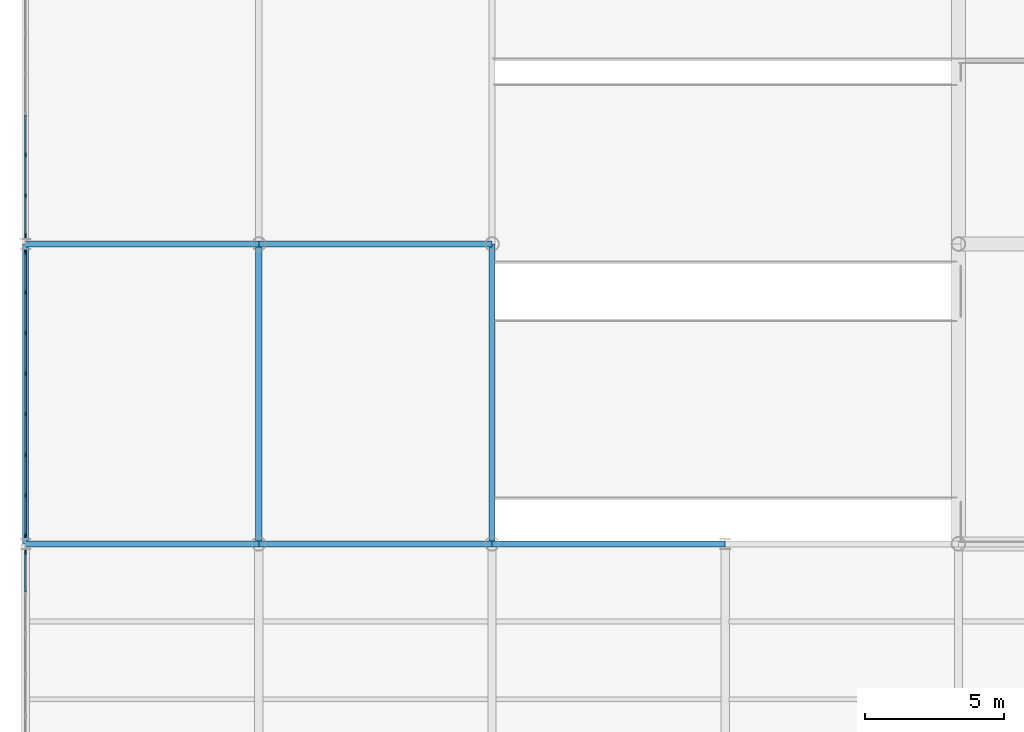
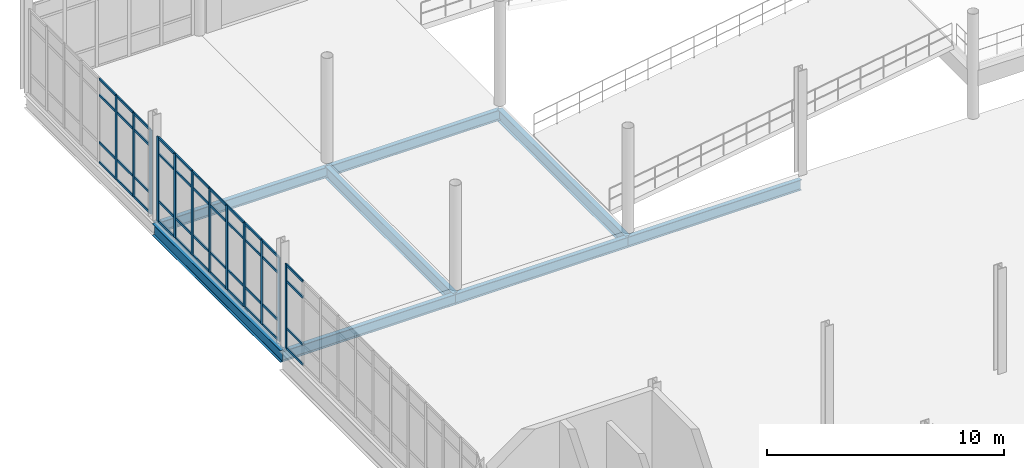
# One storey, part 49 of 111: 56 members, 8 beams, 3 elements without a shape of their own.
"""IFC4 building model written with IfcOpenShell, lengths in metres."""

from ifc_helpers import new_model, si_unit, direction, frame, origin, origin_2d, place, context, subcontext, project, spatial, rectangle, i_section, extrude, material, layer, layer_set, material_profile, profile_set, type_object, element, aggregate, save


model = new_model("IFC4")

# Units and contexts
model_context = context("Model", 3, precision=1e-05, world=origin(), true_north=direction((0.0, 1.0)))
body_context = subcontext(model_context, "Body", "Model", "MODEL_VIEW")
ifc_project = project(units=[si_unit("LENGTHUNIT", "METRE"), si_unit("AREAUNIT", "SQUARE_METRE"), si_unit("VOLUMEUNIT", "CUBIC_METRE"), si_unit("PLANEANGLEUNIT", "RADIAN"), si_unit("MASSUNIT", "GRAM", prefix="KILO"), si_unit("THERMODYNAMICTEMPERATUREUNIT", "KELVIN"), si_unit("POWERUNIT", "WATT")], contexts=[model_context])

# Site, building, storey
site_placement = place(None, origin())
site = spatial("IfcSite", under=ifc_project, at=site_placement, CompositionType="ELEMENT")
building_placement = place(site_placement, origin())
building = spatial("IfcBuilding", under=site, at=building_placement, Name="Tembeka Court Mobility Hub", CompositionType="ELEMENT")
storey_placement = place(building_placement, origin())
storey = spatial("IfcBuildingStorey", under=building, at=storey_placement, Name="L00", CompositionType="ELEMENT", Elevation=0.0)

# Beams
ifc_material_1 = material(Name="Steel S355", Category="steel")
ifc_material_profile_1 = material_profile(ifc_material_1, i_section(OverallWidth=0.22900390625, OverallDepth=0.612060546875, WebThickness=0.011962890625, FlangeThickness=0.01953125, FilletRadius=0.0126953125, at=origin_2d()), Name="UKB 610x229x125")
ifc_profile_set_1 = profile_set([ifc_material_profile_1], Name="Steel S355")
beam_type_1 = type_object("IfcBeamType", Name="BM-G02", PredefinedType="USERDEFINED", material=ifc_profile_set_1)
for number, where, z_axis, x_axis, name in (
    (1, (0.0, 97.199951171875, -0.5859375), (0.0, 1.0, 0.0), (-1.0, 0.0, 0.0), "Beam G02 (BM-L00-Y0173)"),
    (2, (8.39990234375, 97.199951171875, -0.5859375), (0.0, 1.0, 0.0), (-1.0, 0.0, 0.0), "Beam G02 (BM-L00-Y0184)"),
    (3, (16.800048828125, 97.199951171875, -0.5859375), (0.0, 1.0, 0.0), (-1.0, 0.0, 0.0), "Beam G02 (BM-L00-Y0195)"),
):
    element("IfcBeam", number, at=place(storey_placement, frame(where, z_axis=z_axis, x_axis=x_axis)), inside=storey, type_object=beam_type_1, Name=name, ObjectType="GIRDER", PredefinedType="USERDEFINED", context=body_context, shape_type="SweptSolid", body=[
        extrude(i_section(OverallWidth=0.22900390625, OverallDepth=0.612060546875, WebThickness=0.011962890625, FlangeThickness=0.01953125, FilletRadius=0.0126953125, at=origin_2d()), origin(), (0.0, 0.0, 1.0), 10.800048828125),
    ])
ifc_material_profile_2 = material_profile(ifc_material_1, i_section(OverallWidth=0.2099609375, OverallDepth=0.537109375, WebThickness=0.0107421875, FlangeThickness=0.017333984375, FilletRadius=0.0126953125, at=origin_2d()), Name="UKB 533x210x101")
ifc_profile_set_2 = profile_set([ifc_material_profile_2], Name="Steel S355")
beam_type_2 = type_object("IfcBeamType", Name="BM-G03", PredefinedType="USERDEFINED", material=ifc_profile_set_2)
beam_1_placement = place(storey_placement, frame((0.0, 97.199951171875, -0.548583984375), z_axis=(1.0, 0.0, 0.0), x_axis=(0.0, 1.0, 0.0)))
element("IfcBeam", 4, at=beam_1_placement, inside=storey, type_object=beam_type_2, Name="Beam G03 (BM-L00-X0137)", ObjectType="GIRDER", PredefinedType="USERDEFINED", context=body_context, shape_type="SweptSolid", body=[
    extrude(i_section(OverallWidth=0.2099609375, OverallDepth=0.537109375, WebThickness=0.0107421875, FlangeThickness=0.017333984375, FilletRadius=0.0126953125, at=origin_2d()), origin(), (0.0, 0.0, 1.0), 8.39990234375),
])
beam_2_placement = place(storey_placement, frame((8.39990234375, 97.199951171875, -0.548583984375), z_axis=(1.0, 0.0, 0.0), x_axis=(0.0, 1.0, 0.0)))
element("IfcBeam", 5, at=beam_2_placement, inside=storey, type_object=beam_type_2, Name="Beam G03 (BM-L00-X0138)", ObjectType="GIRDER", PredefinedType="USERDEFINED", context=body_context, shape_type="SweptSolid", body=[
    extrude(i_section(OverallWidth=0.2099609375, OverallDepth=0.537109375, WebThickness=0.0107421875, FlangeThickness=0.017333984375, FilletRadius=0.0126953125, at=origin_2d()), origin(), (0.0, 0.0, 1.0), 8.400146484375),
])
for number, where, z_axis, x_axis, name in (
    (6, (16.800048828125, 97.199951171875, -0.548583984375), (1.0, 0.0, 0.0), (0.0, 1.0, 0.0), "Beam G03 (BM-L00-X0139)"),
    (7, (0.0, 108.0, -0.548583984375), (1.0, 0.0, 0.0), (0.0, 1.0, 0.0), "Beam G03 (BM-L00-X0150)"),
):
    element("IfcBeam", number, at=place(storey_placement, frame(where, z_axis=z_axis, x_axis=x_axis)), inside=storey, type_object=beam_type_2, Name=name, ObjectType="GIRDER", PredefinedType="USERDEFINED", context=body_context, shape_type="SweptSolid", body=[
        extrude(i_section(OverallWidth=0.2099609375, OverallDepth=0.537109375, WebThickness=0.0107421875, FlangeThickness=0.017333984375, FilletRadius=0.0126953125, at=origin_2d()), origin(), (0.0, 0.0, 1.0), 8.39990234375),
    ])
beam_3_placement = place(storey_placement, frame((8.39990234375, 108.0, -0.548583984375), z_axis=(1.0, 0.0, 0.0), x_axis=(0.0, 1.0, 0.0)))
element("IfcBeam", 8, at=beam_3_placement, inside=storey, type_object=beam_type_2, Name="Beam G03 (BM-L00-X0151)", ObjectType="GIRDER", PredefinedType="USERDEFINED", context=body_context, shape_type="SweptSolid", body=[
    extrude(i_section(OverallWidth=0.2099609375, OverallDepth=0.537109375, WebThickness=0.0107421875, FlangeThickness=0.017333984375, FilletRadius=0.0126953125, at=origin_2d()), origin(), (0.0, 0.0, 1.0), 8.400146484375),
])

# Curtain wall, member
ifc_material_2 = material(Name="Anodised aluminium 6063-T6", Category="aluminium")
ifc_layer_1 = layer(ifc_material_2, 0.159912109375)
ifc_layer_set_1 = layer_set([ifc_layer_1], Name="Anodised aluminium 6063-T6")
curtain_wall_type_1 = type_object("IfcCurtainWallType", Name="CW-SYS19", PredefinedType="USERDEFINED", material=ifc_layer_set_1)
curtain_wall_1_placement = place(storey_placement, origin())
curtain_wall_1 = element("IfcCurtainWall", 9, at=curtain_wall_1_placement, inside=storey, type_object=curtain_wall_type_1, Name="Unitised curtain wall CW19 (CW-L00-029)", ObjectType="UNITISED GLAZING", PredefinedType="USERDEFINED")
ifc_material_profile_3 = material_profile(ifc_material_2, rectangle(XDim=0.06494140625, YDim=0.159912109375, at=origin_2d()), Name="ALU-MUL 65x160")
ifc_profile_set_3 = profile_set([ifc_material_profile_3], Name="Anodised aluminium 6063-T6")
member_type_1 = type_object("IfcMemberType", Name="CW-MUL01", PredefinedType="MULLION", material=ifc_profile_set_3)
member_1_placement = place(storey_placement, frame((0.0, 96.887451171875, 0.0), z_axis=(0.0, 0.0, 1.0), x_axis=(-1.0, 0.0, 0.0)))
member_1 = element("IfcMember", 10, at=member_1_placement, type_object=member_type_1, Name="CW19 mullion 12", PredefinedType="MULLION", context=body_context, shape_type="SweptSolid", body=[
    extrude(rectangle(XDim=0.06494140625, YDim=0.159912109375, at=origin_2d()), origin(), (0.0, 0.0, 1.0), 4.3349609375),
])

# Curtain wall, members
ifc_layer_2 = layer(ifc_material_2, 0.159912109375)
ifc_layer_set_2 = layer_set([ifc_layer_2], Name="Anodised aluminium 6063-T6")
curtain_wall_type_2 = type_object("IfcCurtainWallType", Name="CW-SYS18", PredefinedType="USERDEFINED", material=ifc_layer_set_2)
curtain_wall_2_placement = place(storey_placement, origin())
curtain_wall_2 = element("IfcCurtainWall", 11, at=curtain_wall_2_placement, inside=storey, type_object=curtain_wall_type_2, Name="Unitised curtain wall CW18 (CW-L00-031)", ObjectType="UNITISED GLAZING", PredefinedType="USERDEFINED")
member_2_placement = place(storey_placement, frame((0.0, 97.512451171875, 0.0), z_axis=(0.0, 0.0, 1.0), x_axis=(-1.0, 0.0, 0.0)))
member_2 = element("IfcMember", 12, at=member_2_placement, type_object=member_type_1, Name="CW18 mullion 1", PredefinedType="MULLION", context=body_context, shape_type="SweptSolid", body=[
    extrude(rectangle(XDim=0.06494140625, YDim=0.159912109375, at=origin_2d()), origin(), (0.0, 0.0, 1.0), 4.3349609375),
])
member_3_placement = place(storey_placement, frame((0.0, 98.94287109375, 0.0), z_axis=(0.0, 0.0, 1.0), x_axis=(-1.0, 0.0, 0.0)))
member_3 = element("IfcMember", 13, at=member_3_placement, type_object=member_type_1, Name="CW18 mullion 2", PredefinedType="MULLION", context=body_context, shape_type="SweptSolid", body=[
    extrude(rectangle(XDim=0.06494140625, YDim=0.159912109375, at=origin_2d()), origin(), (0.0, 0.0, 1.0), 4.3349609375),
])
member_4_placement = place(storey_placement, frame((0.0, 100.40576171875, 0.0), z_axis=(0.0, 0.0, 1.0), x_axis=(-1.0, 0.0, 0.0)))
member_4 = element("IfcMember", 14, at=member_4_placement, type_object=member_type_1, Name="CW18 mullion 3", PredefinedType="MULLION", context=body_context, shape_type="SweptSolid", body=[
    extrude(rectangle(XDim=0.06494140625, YDim=0.159912109375, at=origin_2d()), origin(), (0.0, 0.0, 1.0), 4.3349609375),
])
member_5_placement = place(storey_placement, frame((0.0, 101.86865234375, 0.0), z_axis=(0.0, 0.0, 1.0), x_axis=(-1.0, 0.0, 0.0)))
member_5 = element("IfcMember", 15, at=member_5_placement, type_object=member_type_1, Name="CW18 mullion 4", PredefinedType="MULLION", context=body_context, shape_type="SweptSolid", body=[
    extrude(rectangle(XDim=0.06494140625, YDim=0.159912109375, at=origin_2d()), origin(), (0.0, 0.0, 1.0), 4.3349609375),
])
member_6_placement = place(storey_placement, frame((0.0, 103.33154296875, 0.0), z_axis=(0.0, 0.0, 1.0), x_axis=(-1.0, 0.0, 0.0)))
member_6 = element("IfcMember", 16, at=member_6_placement, type_object=member_type_1, Name="CW18 mullion 5", PredefinedType="MULLION", context=body_context, shape_type="SweptSolid", body=[
    extrude(rectangle(XDim=0.06494140625, YDim=0.159912109375, at=origin_2d()), origin(), (0.0, 0.0, 1.0), 4.3349609375),
])
member_7_placement = place(storey_placement, frame((0.0, 104.794189453125, 0.0), z_axis=(0.0, 0.0, 1.0), x_axis=(-1.0, 0.0, 0.0)))
member_7 = element("IfcMember", 17, at=member_7_placement, type_object=member_type_1, Name="CW18 mullion 6", PredefinedType="MULLION", context=body_context, shape_type="SweptSolid", body=[
    extrude(rectangle(XDim=0.06494140625, YDim=0.159912109375, at=origin_2d()), origin(), (0.0, 0.0, 1.0), 4.3349609375),
])
member_8_placement = place(storey_placement, frame((0.0, 106.257080078125, 0.0), z_axis=(0.0, 0.0, 1.0), x_axis=(-1.0, 0.0, 0.0)))
member_8 = element("IfcMember", 18, at=member_8_placement, type_object=member_type_1, Name="CW18 mullion 7", PredefinedType="MULLION", context=body_context, shape_type="SweptSolid", body=[
    extrude(rectangle(XDim=0.06494140625, YDim=0.159912109375, at=origin_2d()), origin(), (0.0, 0.0, 1.0), 4.3349609375),
])
member_9_placement = place(storey_placement, frame((0.0, 107.6875, 0.0), z_axis=(0.0, 0.0, 1.0), x_axis=(-1.0, 0.0, 0.0)))
member_9 = element("IfcMember", 19, at=member_9_placement, type_object=member_type_1, Name="CW18 mullion 8", PredefinedType="MULLION", context=body_context, shape_type="SweptSolid", body=[
    extrude(rectangle(XDim=0.06494140625, YDim=0.159912109375, at=origin_2d()), origin(), (0.0, 0.0, 1.0), 4.3349609375),
])

curtain_wall_3_placement = place(storey_placement, origin())
curtain_wall_3 = element("IfcCurtainWall", 20, at=curtain_wall_3_placement, inside=storey, type_object=curtain_wall_type_2, Name="Unitised curtain wall CW18 (CW-L00-033)", ObjectType="UNITISED GLAZING", PredefinedType="USERDEFINED")
member_10_placement = place(storey_placement, frame((0.0, 108.3125, 0.0), z_axis=(0.0, 0.0, 1.0), x_axis=(-1.0, 0.0, 0.0)))
member_10 = element("IfcMember", 21, at=member_10_placement, type_object=member_type_1, Name="CW18 mullion 1", PredefinedType="MULLION", context=body_context, shape_type="SweptSolid", body=[
    extrude(rectangle(XDim=0.06494140625, YDim=0.159912109375, at=origin_2d()), origin(), (0.0, 0.0, 1.0), 4.3349609375),
])
member_11_placement = place(storey_placement, frame((0.0, 109.742919921875, 0.0), z_axis=(0.0, 0.0, 1.0), x_axis=(-1.0, 0.0, 0.0)))
member_11 = element("IfcMember", 22, at=member_11_placement, type_object=member_type_1, Name="CW18 mullion 2", PredefinedType="MULLION", context=body_context, shape_type="SweptSolid", body=[
    extrude(rectangle(XDim=0.06494140625, YDim=0.159912109375, at=origin_2d()), origin(), (0.0, 0.0, 1.0), 4.3349609375),
])
member_12_placement = place(storey_placement, frame((0.0, 111.205810546875, 0.0), z_axis=(0.0, 0.0, 1.0), x_axis=(-1.0, 0.0, 0.0)))
member_12 = element("IfcMember", 23, at=member_12_placement, type_object=member_type_1, Name="CW18 mullion 3", PredefinedType="MULLION", context=body_context, shape_type="SweptSolid", body=[
    extrude(rectangle(XDim=0.06494140625, YDim=0.159912109375, at=origin_2d()), origin(), (0.0, 0.0, 1.0), 4.3349609375),
])

# Member
ifc_material_profile_4 = material_profile(ifc_material_2, rectangle(XDim=0.06494140625, YDim=0.1201171875, at=origin_2d()), Name="ALU-TRN 65x120")
ifc_profile_set_4 = profile_set([ifc_material_profile_4], Name="Anodised aluminium 6063-T6")
member_type_2 = type_object("IfcMemberType", Name="CW-TRN01", PredefinedType="USERDEFINED", material=ifc_profile_set_4)
member_13_placement = place(storey_placement, frame((0.0, 95.47607421875, 0.032470703125), z_axis=(0.0, 1.0, 0.0), x_axis=(-1.0, 0.0, 0.0)))
member_13 = element("IfcMember", 24, at=member_13_placement, type_object=member_type_2, Name="CW19 transom 11.1", ObjectType="TRANSOM", PredefinedType="USERDEFINED", context=body_context, shape_type="SweptSolid", body=[
    extrude(rectangle(XDim=0.06494140625, YDim=0.1201171875, at=origin_2d()), origin(), (0.0, 0.0, 1.0), 1.37890625),
])

member_14_placement = place(storey_placement, frame((0.0, 95.47607421875, 1.050048828125), z_axis=(0.0, 1.0, 0.0), x_axis=(-1.0, 0.0, 0.0)))
member_14 = element("IfcMember", 25, at=member_14_placement, type_object=member_type_2, Name="CW19 transom 11.2", ObjectType="TRANSOM", PredefinedType="USERDEFINED", context=body_context, shape_type="SweptSolid", body=[
    extrude(rectangle(XDim=0.06494140625, YDim=0.1201171875, at=origin_2d()), origin(), (0.0, 0.0, 1.0), 1.37890625),
])

member_15_placement = place(storey_placement, frame((0.0, 95.47607421875, 3.485107421875), z_axis=(0.0, 1.0, 0.0), x_axis=(-1.0, 0.0, 0.0)))
member_15 = element("IfcMember", 26, at=member_15_placement, type_object=member_type_2, Name="CW19 transom 11.3", ObjectType="TRANSOM", PredefinedType="USERDEFINED", context=body_context, shape_type="SweptSolid", body=[
    extrude(rectangle(XDim=0.06494140625, YDim=0.1201171875, at=origin_2d()), origin(), (0.0, 0.0, 1.0), 1.37890625),
])

member_16_placement = place(storey_placement, frame((0.0, 95.47607421875, 4.302490234375), z_axis=(0.0, 1.0, 0.0), x_axis=(-1.0, 0.0, 0.0)))
member_16 = element("IfcMember", 27, at=member_16_placement, type_object=member_type_2, Name="CW19 transom 11.4", ObjectType="TRANSOM", PredefinedType="USERDEFINED", context=body_context, shape_type="SweptSolid", body=[
    extrude(rectangle(XDim=0.06494140625, YDim=0.1201171875, at=origin_2d()), origin(), (0.0, 0.0, 1.0), 1.37890625),
])

aggregate(curtain_wall_1, [member_1, member_13, member_14, member_15, member_16])

member_17_placement = place(storey_placement, frame((0.0, 97.544921875, 0.032470703125), z_axis=(0.0, 1.0, 0.0), x_axis=(-1.0, 0.0, 0.0)))
member_17 = element("IfcMember", 28, at=member_17_placement, type_object=member_type_2, Name="CW18 transom 1.1", ObjectType="TRANSOM", PredefinedType="USERDEFINED", context=body_context, shape_type="SweptSolid", body=[
    extrude(rectangle(XDim=0.06494140625, YDim=0.1201171875, at=origin_2d()), origin(), (0.0, 0.0, 1.0), 1.365478515625),
])

member_18_placement = place(storey_placement, frame((0.0, 97.544921875, 1.050048828125), z_axis=(0.0, 1.0, 0.0), x_axis=(-1.0, 0.0, 0.0)))
member_18 = element("IfcMember", 29, at=member_18_placement, type_object=member_type_2, Name="CW18 transom 1.2", ObjectType="TRANSOM", PredefinedType="USERDEFINED", context=body_context, shape_type="SweptSolid", body=[
    extrude(rectangle(XDim=0.06494140625, YDim=0.1201171875, at=origin_2d()), origin(), (0.0, 0.0, 1.0), 1.365478515625),
])

member_19_placement = place(storey_placement, frame((0.0, 97.544921875, 3.485107421875), z_axis=(0.0, 1.0, 0.0), x_axis=(-1.0, 0.0, 0.0)))
member_19 = element("IfcMember", 30, at=member_19_placement, type_object=member_type_2, Name="CW18 transom 1.3", ObjectType="TRANSOM", PredefinedType="USERDEFINED", context=body_context, shape_type="SweptSolid", body=[
    extrude(rectangle(XDim=0.06494140625, YDim=0.1201171875, at=origin_2d()), origin(), (0.0, 0.0, 1.0), 1.365478515625),
])

member_20_placement = place(storey_placement, frame((0.0, 97.544921875, 4.302490234375), z_axis=(0.0, 1.0, 0.0), x_axis=(-1.0, 0.0, 0.0)))
member_20 = element("IfcMember", 31, at=member_20_placement, type_object=member_type_2, Name="CW18 transom 1.4", ObjectType="TRANSOM", PredefinedType="USERDEFINED", context=body_context, shape_type="SweptSolid", body=[
    extrude(rectangle(XDim=0.06494140625, YDim=0.1201171875, at=origin_2d()), origin(), (0.0, 0.0, 1.0), 1.365478515625),
])

member_21_placement = place(storey_placement, frame((0.0, 98.975341796875, 0.032470703125), z_axis=(0.0, 1.0, 0.0), x_axis=(-1.0, 0.0, 0.0)))
member_21 = element("IfcMember", 32, at=member_21_placement, type_object=member_type_2, Name="CW18 transom 2.1", ObjectType="TRANSOM", PredefinedType="USERDEFINED", context=body_context, shape_type="SweptSolid", body=[
    extrude(rectangle(XDim=0.06494140625, YDim=0.1201171875, at=origin_2d()), origin(), (0.0, 0.0, 1.0), 1.39794921875),
])

member_22_placement = place(storey_placement, frame((0.0, 98.975341796875, 1.050048828125), z_axis=(0.0, 1.0, 0.0), x_axis=(-1.0, 0.0, 0.0)))
member_22 = element("IfcMember", 33, at=member_22_placement, type_object=member_type_2, Name="CW18 transom 2.2", ObjectType="TRANSOM", PredefinedType="USERDEFINED", context=body_context, shape_type="SweptSolid", body=[
    extrude(rectangle(XDim=0.06494140625, YDim=0.1201171875, at=origin_2d()), origin(), (0.0, 0.0, 1.0), 1.39794921875),
])

member_23_placement = place(storey_placement, frame((0.0, 98.975341796875, 3.485107421875), z_axis=(0.0, 1.0, 0.0), x_axis=(-1.0, 0.0, 0.0)))
member_23 = element("IfcMember", 34, at=member_23_placement, type_object=member_type_2, Name="CW18 transom 2.3", ObjectType="TRANSOM", PredefinedType="USERDEFINED", context=body_context, shape_type="SweptSolid", body=[
    extrude(rectangle(XDim=0.06494140625, YDim=0.1201171875, at=origin_2d()), origin(), (0.0, 0.0, 1.0), 1.39794921875),
])

member_24_placement = place(storey_placement, frame((0.0, 98.975341796875, 4.302490234375), z_axis=(0.0, 1.0, 0.0), x_axis=(-1.0, 0.0, 0.0)))
member_24 = element("IfcMember", 35, at=member_24_placement, type_object=member_type_2, Name="CW18 transom 2.4", ObjectType="TRANSOM", PredefinedType="USERDEFINED", context=body_context, shape_type="SweptSolid", body=[
    extrude(rectangle(XDim=0.06494140625, YDim=0.1201171875, at=origin_2d()), origin(), (0.0, 0.0, 1.0), 1.39794921875),
])

member_25_placement = place(storey_placement, frame((0.0, 100.438232421875, 0.032470703125), z_axis=(0.0, 1.0, 0.0), x_axis=(-1.0, 0.0, 0.0)))
member_25 = element("IfcMember", 36, at=member_25_placement, type_object=member_type_2, Name="CW18 transom 3.1", ObjectType="TRANSOM", PredefinedType="USERDEFINED", context=body_context, shape_type="SweptSolid", body=[
    extrude(rectangle(XDim=0.06494140625, YDim=0.1201171875, at=origin_2d()), origin(), (0.0, 0.0, 1.0), 1.39794921875),
])

member_26_placement = place(storey_placement, frame((0.0, 100.438232421875, 1.050048828125), z_axis=(0.0, 1.0, 0.0), x_axis=(-1.0, 0.0, 0.0)))
member_26 = element("IfcMember", 37, at=member_26_placement, type_object=member_type_2, Name="CW18 transom 3.2", ObjectType="TRANSOM", PredefinedType="USERDEFINED", context=body_context, shape_type="SweptSolid", body=[
    extrude(rectangle(XDim=0.06494140625, YDim=0.1201171875, at=origin_2d()), origin(), (0.0, 0.0, 1.0), 1.39794921875),
])

member_27_placement = place(storey_placement, frame((0.0, 100.438232421875, 3.485107421875), z_axis=(0.0, 1.0, 0.0), x_axis=(-1.0, 0.0, 0.0)))
member_27 = element("IfcMember", 38, at=member_27_placement, type_object=member_type_2, Name="CW18 transom 3.3", ObjectType="TRANSOM", PredefinedType="USERDEFINED", context=body_context, shape_type="SweptSolid", body=[
    extrude(rectangle(XDim=0.06494140625, YDim=0.1201171875, at=origin_2d()), origin(), (0.0, 0.0, 1.0), 1.39794921875),
])

member_28_placement = place(storey_placement, frame((0.0, 100.438232421875, 4.302490234375), z_axis=(0.0, 1.0, 0.0), x_axis=(-1.0, 0.0, 0.0)))
member_28 = element("IfcMember", 39, at=member_28_placement, type_object=member_type_2, Name="CW18 transom 3.4", ObjectType="TRANSOM", PredefinedType="USERDEFINED", context=body_context, shape_type="SweptSolid", body=[
    extrude(rectangle(XDim=0.06494140625, YDim=0.1201171875, at=origin_2d()), origin(), (0.0, 0.0, 1.0), 1.39794921875),
])

member_29_placement = place(storey_placement, frame((0.0, 101.901123046875, 0.032470703125), z_axis=(0.0, 1.0, 0.0), x_axis=(-1.0, 0.0, 0.0)))
member_29 = element("IfcMember", 40, at=member_29_placement, type_object=member_type_2, Name="CW18 transom 4.1", ObjectType="TRANSOM", PredefinedType="USERDEFINED", context=body_context, shape_type="SweptSolid", body=[
    extrude(rectangle(XDim=0.06494140625, YDim=0.1201171875, at=origin_2d()), origin(), (0.0, 0.0, 1.0), 1.397705078125),
])

member_30_placement = place(storey_placement, frame((0.0, 101.901123046875, 1.050048828125), z_axis=(0.0, 1.0, 0.0), x_axis=(-1.0, 0.0, 0.0)))
member_30 = element("IfcMember", 41, at=member_30_placement, type_object=member_type_2, Name="CW18 transom 4.2", ObjectType="TRANSOM", PredefinedType="USERDEFINED", context=body_context, shape_type="SweptSolid", body=[
    extrude(rectangle(XDim=0.06494140625, YDim=0.1201171875, at=origin_2d()), origin(), (0.0, 0.0, 1.0), 1.397705078125),
])

member_31_placement = place(storey_placement, frame((0.0, 101.901123046875, 3.485107421875), z_axis=(0.0, 1.0, 0.0), x_axis=(-1.0, 0.0, 0.0)))
member_31 = element("IfcMember", 42, at=member_31_placement, type_object=member_type_2, Name="CW18 transom 4.3", ObjectType="TRANSOM", PredefinedType="USERDEFINED", context=body_context, shape_type="SweptSolid", body=[
    extrude(rectangle(XDim=0.06494140625, YDim=0.1201171875, at=origin_2d()), origin(), (0.0, 0.0, 1.0), 1.397705078125),
])

member_32_placement = place(storey_placement, frame((0.0, 101.901123046875, 4.302490234375), z_axis=(0.0, 1.0, 0.0), x_axis=(-1.0, 0.0, 0.0)))
member_32 = element("IfcMember", 43, at=member_32_placement, type_object=member_type_2, Name="CW18 transom 4.4", ObjectType="TRANSOM", PredefinedType="USERDEFINED", context=body_context, shape_type="SweptSolid", body=[
    extrude(rectangle(XDim=0.06494140625, YDim=0.1201171875, at=origin_2d()), origin(), (0.0, 0.0, 1.0), 1.397705078125),
])

member_33_placement = place(storey_placement, frame((0.0, 103.364013671875, 0.032470703125), z_axis=(0.0, 1.0, 0.0), x_axis=(-1.0, 0.0, 0.0)))
member_33 = element("IfcMember", 44, at=member_33_placement, type_object=member_type_2, Name="CW18 transom 5.1", ObjectType="TRANSOM", PredefinedType="USERDEFINED", context=body_context, shape_type="SweptSolid", body=[
    extrude(rectangle(XDim=0.06494140625, YDim=0.1201171875, at=origin_2d()), origin(), (0.0, 0.0, 1.0), 1.397705078125),
])

member_34_placement = place(storey_placement, frame((0.0, 103.364013671875, 1.050048828125), z_axis=(0.0, 1.0, 0.0), x_axis=(-1.0, 0.0, 0.0)))
member_34 = element("IfcMember", 45, at=member_34_placement, type_object=member_type_2, Name="CW18 transom 5.2", ObjectType="TRANSOM", PredefinedType="USERDEFINED", context=body_context, shape_type="SweptSolid", body=[
    extrude(rectangle(XDim=0.06494140625, YDim=0.1201171875, at=origin_2d()), origin(), (0.0, 0.0, 1.0), 1.397705078125),
])

member_35_placement = place(storey_placement, frame((0.0, 103.364013671875, 3.485107421875), z_axis=(0.0, 1.0, 0.0), x_axis=(-1.0, 0.0, 0.0)))
member_35 = element("IfcMember", 46, at=member_35_placement, type_object=member_type_2, Name="CW18 transom 5.3", ObjectType="TRANSOM", PredefinedType="USERDEFINED", context=body_context, shape_type="SweptSolid", body=[
    extrude(rectangle(XDim=0.06494140625, YDim=0.1201171875, at=origin_2d()), origin(), (0.0, 0.0, 1.0), 1.397705078125),
])

member_36_placement = place(storey_placement, frame((0.0, 103.364013671875, 4.302490234375), z_axis=(0.0, 1.0, 0.0), x_axis=(-1.0, 0.0, 0.0)))
member_36 = element("IfcMember", 47, at=member_36_placement, type_object=member_type_2, Name="CW18 transom 5.4", ObjectType="TRANSOM", PredefinedType="USERDEFINED", context=body_context, shape_type="SweptSolid", body=[
    extrude(rectangle(XDim=0.06494140625, YDim=0.1201171875, at=origin_2d()), origin(), (0.0, 0.0, 1.0), 1.397705078125),
])

member_37_placement = place(storey_placement, frame((0.0, 104.826904296875, 0.032470703125), z_axis=(0.0, 1.0, 0.0), x_axis=(-1.0, 0.0, 0.0)))
member_37 = element("IfcMember", 48, at=member_37_placement, type_object=member_type_2, Name="CW18 transom 6.1", ObjectType="TRANSOM", PredefinedType="USERDEFINED", context=body_context, shape_type="SweptSolid", body=[
    extrude(rectangle(XDim=0.06494140625, YDim=0.1201171875, at=origin_2d()), origin(), (0.0, 0.0, 1.0), 1.397705078125),
])

member_38_placement = place(storey_placement, frame((0.0, 104.826904296875, 1.050048828125), z_axis=(0.0, 1.0, 0.0), x_axis=(-1.0, 0.0, 0.0)))
member_38 = element("IfcMember", 49, at=member_38_placement, type_object=member_type_2, Name="CW18 transom 6.2", ObjectType="TRANSOM", PredefinedType="USERDEFINED", context=body_context, shape_type="SweptSolid", body=[
    extrude(rectangle(XDim=0.06494140625, YDim=0.1201171875, at=origin_2d()), origin(), (0.0, 0.0, 1.0), 1.397705078125),
])

member_39_placement = place(storey_placement, frame((0.0, 104.826904296875, 3.485107421875), z_axis=(0.0, 1.0, 0.0), x_axis=(-1.0, 0.0, 0.0)))
member_39 = element("IfcMember", 50, at=member_39_placement, type_object=member_type_2, Name="CW18 transom 6.3", ObjectType="TRANSOM", PredefinedType="USERDEFINED", context=body_context, shape_type="SweptSolid", body=[
    extrude(rectangle(XDim=0.06494140625, YDim=0.1201171875, at=origin_2d()), origin(), (0.0, 0.0, 1.0), 1.397705078125),
])

member_40_placement = place(storey_placement, frame((0.0, 104.826904296875, 4.302490234375), z_axis=(0.0, 1.0, 0.0), x_axis=(-1.0, 0.0, 0.0)))
member_40 = element("IfcMember", 51, at=member_40_placement, type_object=member_type_2, Name="CW18 transom 6.4", ObjectType="TRANSOM", PredefinedType="USERDEFINED", context=body_context, shape_type="SweptSolid", body=[
    extrude(rectangle(XDim=0.06494140625, YDim=0.1201171875, at=origin_2d()), origin(), (0.0, 0.0, 1.0), 1.397705078125),
])

member_41_placement = place(storey_placement, frame((0.0, 106.28955078125, 0.032470703125), z_axis=(0.0, 1.0, 0.0), x_axis=(-1.0, 0.0, 0.0)))
member_41 = element("IfcMember", 52, at=member_41_placement, type_object=member_type_2, Name="CW18 transom 7.1", ObjectType="TRANSOM", PredefinedType="USERDEFINED", context=body_context, shape_type="SweptSolid", body=[
    extrude(rectangle(XDim=0.06494140625, YDim=0.1201171875, at=origin_2d()), origin(), (0.0, 0.0, 1.0), 1.365478515625),
])

member_42_placement = place(storey_placement, frame((0.0, 106.28955078125, 1.050048828125), z_axis=(0.0, 1.0, 0.0), x_axis=(-1.0, 0.0, 0.0)))
member_42 = element("IfcMember", 53, at=member_42_placement, type_object=member_type_2, Name="CW18 transom 7.2", ObjectType="TRANSOM", PredefinedType="USERDEFINED", context=body_context, shape_type="SweptSolid", body=[
    extrude(rectangle(XDim=0.06494140625, YDim=0.1201171875, at=origin_2d()), origin(), (0.0, 0.0, 1.0), 1.365478515625),
])

member_43_placement = place(storey_placement, frame((0.0, 106.28955078125, 3.485107421875), z_axis=(0.0, 1.0, 0.0), x_axis=(-1.0, 0.0, 0.0)))
member_43 = element("IfcMember", 54, at=member_43_placement, type_object=member_type_2, Name="CW18 transom 7.3", ObjectType="TRANSOM", PredefinedType="USERDEFINED", context=body_context, shape_type="SweptSolid", body=[
    extrude(rectangle(XDim=0.06494140625, YDim=0.1201171875, at=origin_2d()), origin(), (0.0, 0.0, 1.0), 1.365478515625),
])

member_44_placement = place(storey_placement, frame((0.0, 106.28955078125, 4.302490234375), z_axis=(0.0, 1.0, 0.0), x_axis=(-1.0, 0.0, 0.0)))
member_44 = element("IfcMember", 55, at=member_44_placement, type_object=member_type_2, Name="CW18 transom 7.4", ObjectType="TRANSOM", PredefinedType="USERDEFINED", context=body_context, shape_type="SweptSolid", body=[
    extrude(rectangle(XDim=0.06494140625, YDim=0.1201171875, at=origin_2d()), origin(), (0.0, 0.0, 1.0), 1.365478515625),
])

aggregate(curtain_wall_2, [member_2, member_3, member_4, member_5, member_6, member_7, member_8, member_9, member_17, member_18, member_19, member_20, member_21, member_22, member_23, member_24, member_25, member_26, member_27, member_28, member_29, member_30, member_31, member_32, member_33, member_34, member_35, member_36, member_37, member_38, member_39, member_40, member_41, member_42, member_43, member_44])

member_45_placement = place(storey_placement, frame((0.0, 108.344970703125, 0.032470703125), z_axis=(0.0, 1.0, 0.0), x_axis=(-1.0, 0.0, 0.0)))
member_45 = element("IfcMember", 56, at=member_45_placement, type_object=member_type_2, Name="CW18 transom 1.1", ObjectType="TRANSOM", PredefinedType="USERDEFINED", context=body_context, shape_type="SweptSolid", body=[
    extrude(rectangle(XDim=0.06494140625, YDim=0.1201171875, at=origin_2d()), origin(), (0.0, 0.0, 1.0), 1.365478515625),
])

member_46_placement = place(storey_placement, frame((0.0, 108.344970703125, 1.050048828125), z_axis=(0.0, 1.0, 0.0), x_axis=(-1.0, 0.0, 0.0)))
member_46 = element("IfcMember", 57, at=member_46_placement, type_object=member_type_2, Name="CW18 transom 1.2", ObjectType="TRANSOM", PredefinedType="USERDEFINED", context=body_context, shape_type="SweptSolid", body=[
    extrude(rectangle(XDim=0.06494140625, YDim=0.1201171875, at=origin_2d()), origin(), (0.0, 0.0, 1.0), 1.365478515625),
])

member_47_placement = place(storey_placement, frame((0.0, 108.344970703125, 3.485107421875), z_axis=(0.0, 1.0, 0.0), x_axis=(-1.0, 0.0, 0.0)))
member_47 = element("IfcMember", 58, at=member_47_placement, type_object=member_type_2, Name="CW18 transom 1.3", ObjectType="TRANSOM", PredefinedType="USERDEFINED", context=body_context, shape_type="SweptSolid", body=[
    extrude(rectangle(XDim=0.06494140625, YDim=0.1201171875, at=origin_2d()), origin(), (0.0, 0.0, 1.0), 1.365478515625),
])

member_48_placement = place(storey_placement, frame((0.0, 108.344970703125, 4.302490234375), z_axis=(0.0, 1.0, 0.0), x_axis=(-1.0, 0.0, 0.0)))
member_48 = element("IfcMember", 59, at=member_48_placement, type_object=member_type_2, Name="CW18 transom 1.4", ObjectType="TRANSOM", PredefinedType="USERDEFINED", context=body_context, shape_type="SweptSolid", body=[
    extrude(rectangle(XDim=0.06494140625, YDim=0.1201171875, at=origin_2d()), origin(), (0.0, 0.0, 1.0), 1.365478515625),
])

member_49_placement = place(storey_placement, frame((0.0, 109.775390625, 0.032470703125), z_axis=(0.0, 1.0, 0.0), x_axis=(-1.0, 0.0, 0.0)))
member_49 = element("IfcMember", 60, at=member_49_placement, type_object=member_type_2, Name="CW18 transom 2.1", ObjectType="TRANSOM", PredefinedType="USERDEFINED", context=body_context, shape_type="SweptSolid", body=[
    extrude(rectangle(XDim=0.06494140625, YDim=0.1201171875, at=origin_2d()), origin(), (0.0, 0.0, 1.0), 1.397705078125),
])

member_50_placement = place(storey_placement, frame((0.0, 109.775390625, 1.050048828125), z_axis=(0.0, 1.0, 0.0), x_axis=(-1.0, 0.0, 0.0)))
member_50 = element("IfcMember", 61, at=member_50_placement, type_object=member_type_2, Name="CW18 transom 2.2", ObjectType="TRANSOM", PredefinedType="USERDEFINED", context=body_context, shape_type="SweptSolid", body=[
    extrude(rectangle(XDim=0.06494140625, YDim=0.1201171875, at=origin_2d()), origin(), (0.0, 0.0, 1.0), 1.397705078125),
])

member_51_placement = place(storey_placement, frame((0.0, 109.775390625, 3.485107421875), z_axis=(0.0, 1.0, 0.0), x_axis=(-1.0, 0.0, 0.0)))
member_51 = element("IfcMember", 62, at=member_51_placement, type_object=member_type_2, Name="CW18 transom 2.3", ObjectType="TRANSOM", PredefinedType="USERDEFINED", context=body_context, shape_type="SweptSolid", body=[
    extrude(rectangle(XDim=0.06494140625, YDim=0.1201171875, at=origin_2d()), origin(), (0.0, 0.0, 1.0), 1.397705078125),
])

member_52_placement = place(storey_placement, frame((0.0, 109.775390625, 4.302490234375), z_axis=(0.0, 1.0, 0.0), x_axis=(-1.0, 0.0, 0.0)))
member_52 = element("IfcMember", 63, at=member_52_placement, type_object=member_type_2, Name="CW18 transom 2.4", ObjectType="TRANSOM", PredefinedType="USERDEFINED", context=body_context, shape_type="SweptSolid", body=[
    extrude(rectangle(XDim=0.06494140625, YDim=0.1201171875, at=origin_2d()), origin(), (0.0, 0.0, 1.0), 1.397705078125),
])

member_53_placement = place(storey_placement, frame((0.0, 111.23828125, 0.032470703125), z_axis=(0.0, 1.0, 0.0), x_axis=(-1.0, 0.0, 0.0)))
member_53 = element("IfcMember", 64, at=member_53_placement, type_object=member_type_2, Name="CW18 transom 3.1", ObjectType="TRANSOM", PredefinedType="USERDEFINED", context=body_context, shape_type="SweptSolid", body=[
    extrude(rectangle(XDim=0.06494140625, YDim=0.1201171875, at=origin_2d()), origin(), (0.0, 0.0, 1.0), 1.397705078125),
])

member_54_placement = place(storey_placement, frame((0.0, 111.23828125, 1.050048828125), z_axis=(0.0, 1.0, 0.0), x_axis=(-1.0, 0.0, 0.0)))
member_54 = element("IfcMember", 65, at=member_54_placement, type_object=member_type_2, Name="CW18 transom 3.2", ObjectType="TRANSOM", PredefinedType="USERDEFINED", context=body_context, shape_type="SweptSolid", body=[
    extrude(rectangle(XDim=0.06494140625, YDim=0.1201171875, at=origin_2d()), origin(), (0.0, 0.0, 1.0), 1.397705078125),
])

member_55_placement = place(storey_placement, frame((0.0, 111.23828125, 3.485107421875), z_axis=(0.0, 1.0, 0.0), x_axis=(-1.0, 0.0, 0.0)))
member_55 = element("IfcMember", 66, at=member_55_placement, type_object=member_type_2, Name="CW18 transom 3.3", ObjectType="TRANSOM", PredefinedType="USERDEFINED", context=body_context, shape_type="SweptSolid", body=[
    extrude(rectangle(XDim=0.06494140625, YDim=0.1201171875, at=origin_2d()), origin(), (0.0, 0.0, 1.0), 1.397705078125),
])

member_56_placement = place(storey_placement, frame((0.0, 111.23828125, 4.302490234375), z_axis=(0.0, 1.0, 0.0), x_axis=(-1.0, 0.0, 0.0)))
member_56 = element("IfcMember", 67, at=member_56_placement, type_object=member_type_2, Name="CW18 transom 3.4", ObjectType="TRANSOM", PredefinedType="USERDEFINED", context=body_context, shape_type="SweptSolid", body=[
    extrude(rectangle(XDim=0.06494140625, YDim=0.1201171875, at=origin_2d()), origin(), (0.0, 0.0, 1.0), 1.397705078125),
])

aggregate(curtain_wall_3, [member_10, member_11, member_12, member_45, member_46, member_47, member_48, member_49, member_50, member_51, member_52, member_53, member_54, member_55, member_56])

save(model, "model.ifc")
